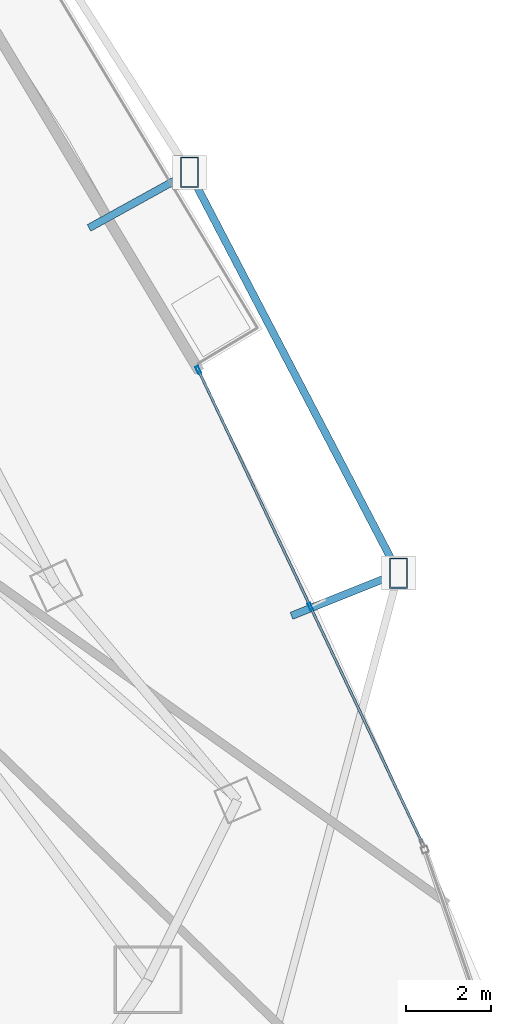
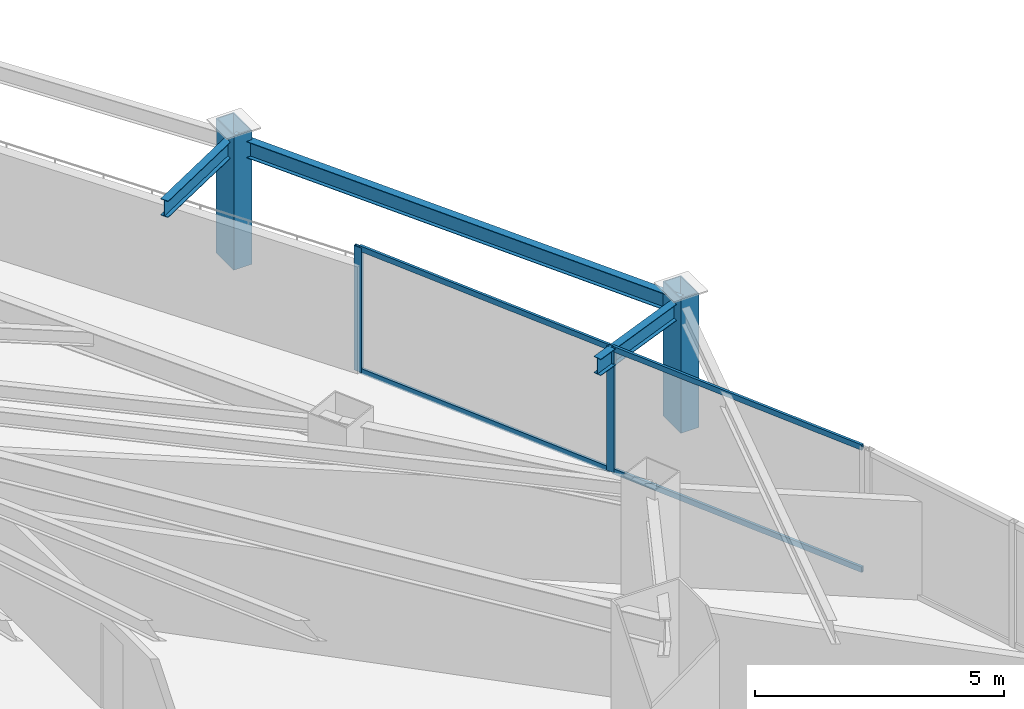
# One storey, part 18 of 33: 8 members, 3 beams, 1 element without a shape of its own.
"""IFC4 building model written with IfcOpenShell, lengths in metres."""

from ifc_helpers import new_model, si_unit, direction, frame, origin, origin_2d, place, context, subcontext, project, spatial, hollow_rectangle, i_section, extrude, material, layer, layer_set, material_profile, profile_set, type_object, element, aggregate, save


model = new_model("IFC4")

# Units and contexts
model_context = context("Model", 3, precision=1e-05, world=origin(), true_north=direction((0.0, 1.0)))
body_context = subcontext(model_context, "Body", "Model", "MODEL_VIEW")
ifc_project = project(units=[si_unit("LENGTHUNIT", "METRE"), si_unit("AREAUNIT", "SQUARE_METRE"), si_unit("VOLUMEUNIT", "CUBIC_METRE"), si_unit("PLANEANGLEUNIT", "RADIAN"), si_unit("MASSUNIT", "GRAM", prefix="KILO")], contexts=[model_context])

# Site, building, storey
site_placement = place(None, origin())
site = spatial("IfcSite", under=ifc_project, at=site_placement, CompositionType="ELEMENT")
building_placement = place(site_placement, origin())
building = spatial("IfcBuilding", under=site, at=building_placement, Name="Orvanel Arch Residences", CompositionType="ELEMENT")
storey_placement = place(building_placement, frame((0.0, 0.0, 70.85009765625)))
storey = spatial("IfcBuildingStorey", under=building, at=storey_placement, Name="L19", CompositionType="ELEMENT", Elevation=70.85009765625)

# Members
ifc_material_1 = material(Name="Structural steel AS/NZS 3678 Grade 350", Category="steel")
ifc_material_profile_1 = material_profile(ifc_material_1, hollow_rectangle(XDim=0.419921875, YDim=0.719970703125, WallThickness=0.02490234375, at=origin_2d()), Name="RHS720x420x25")
ifc_profile_set_1 = profile_set([ifc_material_profile_1], Name="Structural steel AS/NZS 3678 Grade 350")
member_type_1 = type_object("IfcMemberType", Name="CH-720RHS-EXT", PredefinedType="CHORD", material=ifc_profile_set_1)
for number, where, z_axis, x_axis, name in (
    (1, (57.702880859375, 19.93896484375, 0.0), (0.0, 0.0, 1.0), (1.0, 0.0, 0.0), "L19 Outer Perimeter Frame Post 09"),
    (2, (52.77587890625, 29.384033203125, 0.0), (0.0, 0.0, 1.0), (1.0, 0.0, 0.0), "L19 Outer Perimeter Frame Post 10"),
):
    element("IfcMember", number, at=place(storey_placement, frame(where, z_axis=z_axis, x_axis=x_axis)), inside=storey, type_object=member_type_1, Name=name, PredefinedType="CHORD", context=body_context, shape_type="SweptSolid", body=[
        extrude(hollow_rectangle(XDim=0.419921875, YDim=0.719970703125, WallThickness=0.02490234375, at=origin_2d()), origin(), (0.0, 0.0, 1.0), 3.2998046875),
    ])

# Curtain wall, members
ifc_material_2 = material(Name="Bronze-anodised aluminium AA6063-T6", Category="aluminium")
ifc_layer = layer(ifc_material_2, 0.179931640625)
ifc_layer_set = layer_set([ifc_layer], Name="Bronze-anodised aluminium AA6063-T6")
curtain_wall_type = type_object("IfcCurtainWallType", Name="CW2-LOW-SYS", PredefinedType="NOTDEFINED", material=ifc_layer_set)
curtain_wall_placement = place(storey_placement, origin())
curtain_wall = element("IfcCurtainWall", 3, at=curtain_wall_placement, inside=storey, type_object=curtain_wall_type, Name="L19 CW2-LOW-SYS Unitised Curtain Wall", PredefinedType="NOTDEFINED")
ifc_material_profile_2 = material_profile(ifc_material_2, hollow_rectangle(XDim=0.070068359375, YDim=0.179931640625, WallThickness=0.00439453125, at=origin_2d()), Name="ALU180x70x4.5")
ifc_profile_set_2 = profile_set([ifc_material_profile_2], Name="Bronze-anodised aluminium AA6063-T6")
member_type_2 = type_object("IfcMemberType", Name="MUL-180x70", PredefinedType="MULLION", material=ifc_profile_set_2)
member_1_placement = place(storey_placement, frame((55.6259765625, 19.14306640625, 0.0), z_axis=(0.0, 0.0, 1.0), x_axis=(-0.903875434189, -0.427795745036, 0.0)))
member_1 = element("IfcMember", 4, at=member_1_placement, type_object=member_type_2, Name="CW-S2 mullion 2", PredefinedType="MULLION", context=body_context, shape_type="SweptSolid", body=[
    extrude(hollow_rectangle(XDim=0.070068359375, YDim=0.179931640625, WallThickness=0.00439453125, at=origin_2d()), origin(), (0.0, 0.0, 1.0), 3.059814453125),
])
member_2_placement = place(storey_placement, frame((52.98291015625, 24.727294921875, 0.0), z_axis=(0.0, 0.0, 1.0), x_axis=(-0.903875434189, -0.427795745036, 0.0)))
member_2 = element("IfcMember", 5, at=member_2_placement, type_object=member_type_2, Name="CW-S2 mullion 3", PredefinedType="MULLION", context=body_context, shape_type="SweptSolid", body=[
    extrude(hollow_rectangle(XDim=0.070068359375, YDim=0.179931640625, WallThickness=0.00439453125, at=origin_2d()), origin(), (0.0, 0.0, 1.0), 3.059814453125),
])

# Beams
ifc_material_3 = material(Name="Structural steel AS/NZS 3679.1 Grade 300 (300 MPa)", Category="steel")
ifc_material_profile_3 = material_profile(ifc_material_3, i_section(OverallWidth=0.177978515625, OverallDepth=0.406005859375, WebThickness=0.0078125, FlangeThickness=0.0126953125, at=origin_2d()), Name="410UB59.7")
ifc_profile_set_3 = profile_set([ifc_material_profile_3], Name="Structural steel AS/NZS 3679.1 Grade 300 (300 MPa)")
beam_type = type_object("IfcBeamType", Name="OB-410UB-EXT", PredefinedType="SPANDREL", material=ifc_profile_set_3)
beam_1_placement = place(storey_placement, frame((55.178955078125, 18.928955078125, 2.85693359375), z_axis=(0.928420938381, 0.371530027286, 0.0), x_axis=(-0.371530027286, 0.928420938381, 0.0)))
element("IfcBeam", 6, at=beam_1_placement, inside=storey, type_object=beam_type, Name="L19 Outer Frame Radial Tie Beam 09", PredefinedType="SPANDREL", context=body_context, shape_type="SweptSolid", body=[
    extrude(i_section(OverallWidth=0.177978515625, OverallDepth=0.406005859375, WebThickness=0.0078125, FlangeThickness=0.0126953125, at=origin_2d()), origin(), (0.0, 0.0, 1.0), 2.718505859375),
])
beam_2_placement = place(storey_placement, frame((57.702880859375, 19.93896484375, 2.85693359375), z_axis=(-0.462502564623, 0.886617943489, 0.0), x_axis=(-0.886617943489, -0.462502564623, 0.0)))
element("IfcBeam", 7, at=beam_2_placement, inside=storey, type_object=beam_type, Name="L19 Outer Perimeter Floor Ring Beam 09", PredefinedType="SPANDREL", context=body_context, shape_type="SweptSolid", body=[
    extrude(i_section(OverallWidth=0.177978515625, OverallDepth=0.406005859375, WebThickness=0.0078125, FlangeThickness=0.0126953125, at=origin_2d()), origin(), (0.0, 0.0, 1.0), 10.65283203125),
])
beam_3_placement = place(storey_placement, frame((50.406005859375, 28.074951171875, 2.85693359375), z_axis=(0.875332939039, 0.483520677772, 0.0), x_axis=(-0.483520677772, 0.875332939039, 0.0)))
element("IfcBeam", 8, at=beam_3_placement, inside=storey, type_object=beam_type, Name="L19 Outer Frame Radial Tie Beam 10", PredefinedType="SPANDREL", context=body_context, shape_type="SweptSolid", body=[
    extrude(i_section(OverallWidth=0.177978515625, OverallDepth=0.406005859375, WebThickness=0.0078125, FlangeThickness=0.0126953125, at=origin_2d()), origin(), (0.0, 0.0, 1.0), 2.707275390625),
])

# Member
ifc_material_profile_4 = material_profile(ifc_material_2, hollow_rectangle(XDim=0.06005859375, YDim=0.135009765625, WallThickness=0.00390625, at=origin_2d()), Name="ALU135x60x4")
ifc_profile_set_4 = profile_set([ifc_material_profile_4], Name="Bronze-anodised aluminium AA6063-T6")
member_type_3 = type_object("IfcMemberType", Name="TRN-135x60", PredefinedType="USERDEFINED", material=ifc_profile_set_4)
member_3_placement = place(storey_placement, frame((58.254150390625, 13.59033203125, 0.02978515625), z_axis=(-0.427828608407, 0.903859879533, 0.0), x_axis=(-0.903859879533, -0.427828608407, 0.0)))
member_3 = element("IfcMember", 9, at=member_3_placement, type_object=member_type_3, Name="CW-S2 transom 1.1", ObjectType="TRANSOM", PredefinedType="USERDEFINED", context=body_context, shape_type="SweptSolid", body=[
    extrude(hollow_rectangle(XDim=0.06005859375, YDim=0.135009765625, WallThickness=0.00390625, at=origin_2d()), origin(), (0.0, 0.0, 1.0), 6.108154296875),
])

member_4_placement = place(storey_placement, frame((58.254150390625, 13.59033203125, 3.02978515625), z_axis=(-0.427828608407, 0.903859879533, 0.0), x_axis=(-0.903859879533, -0.427828608407, 0.0)))
member_4 = element("IfcMember", 10, at=member_4_placement, type_object=member_type_3, Name="CW-S2 transom 1.2", ObjectType="TRANSOM", PredefinedType="USERDEFINED", context=body_context, shape_type="SweptSolid", body=[
    extrude(hollow_rectangle(XDim=0.06005859375, YDim=0.135009765625, WallThickness=0.00390625, at=origin_2d()), origin(), (0.0, 0.0, 1.0), 6.108154296875),
])

member_5_placement = place(storey_placement, frame((55.611083984375, 19.174560546875, 0.02978515625), z_axis=(-0.427780499589, 0.903882649557, 0.0), x_axis=(-0.903882649557, -0.427780499589, 0.0)))
member_5 = element("IfcMember", 11, at=member_5_placement, type_object=member_type_3, Name="CW-S2 transom 2.1", ObjectType="TRANSOM", PredefinedType="USERDEFINED", context=body_context, shape_type="SweptSolid", body=[
    extrude(hollow_rectangle(XDim=0.06005859375, YDim=0.135009765625, WallThickness=0.00390625, at=origin_2d()), origin(), (0.0, 0.0, 1.0), 6.1083984375),
])

member_6_placement = place(storey_placement, frame((55.611083984375, 19.174560546875, 3.02978515625), z_axis=(-0.427780499589, 0.903882649557, 0.0), x_axis=(-0.903882649557, -0.427780499589, 0.0)))
member_6 = element("IfcMember", 12, at=member_6_placement, type_object=member_type_3, Name="CW-S2 transom 2.2", ObjectType="TRANSOM", PredefinedType="USERDEFINED", context=body_context, shape_type="SweptSolid", body=[
    extrude(hollow_rectangle(XDim=0.06005859375, YDim=0.135009765625, WallThickness=0.00390625, at=origin_2d()), origin(), (0.0, 0.0, 1.0), 6.1083984375),
])

aggregate(curtain_wall, [member_1, member_2, member_3, member_4, member_5, member_6])

save(model, "model.ifc")
